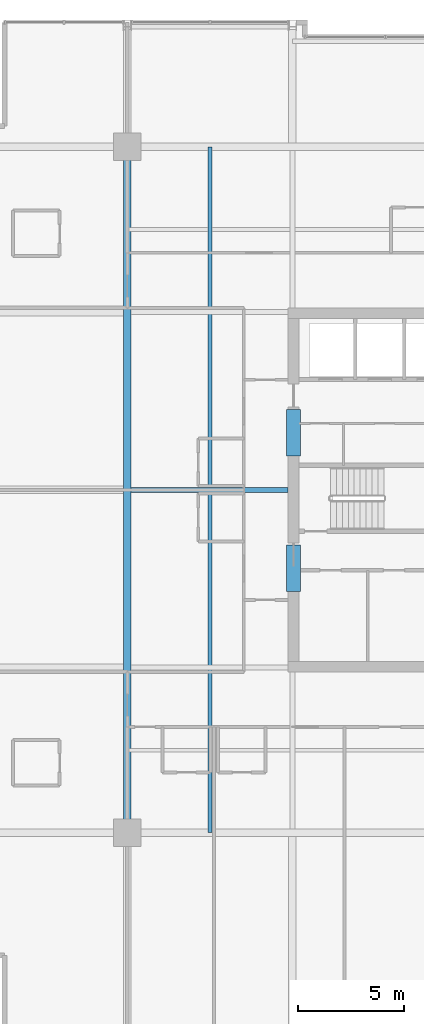
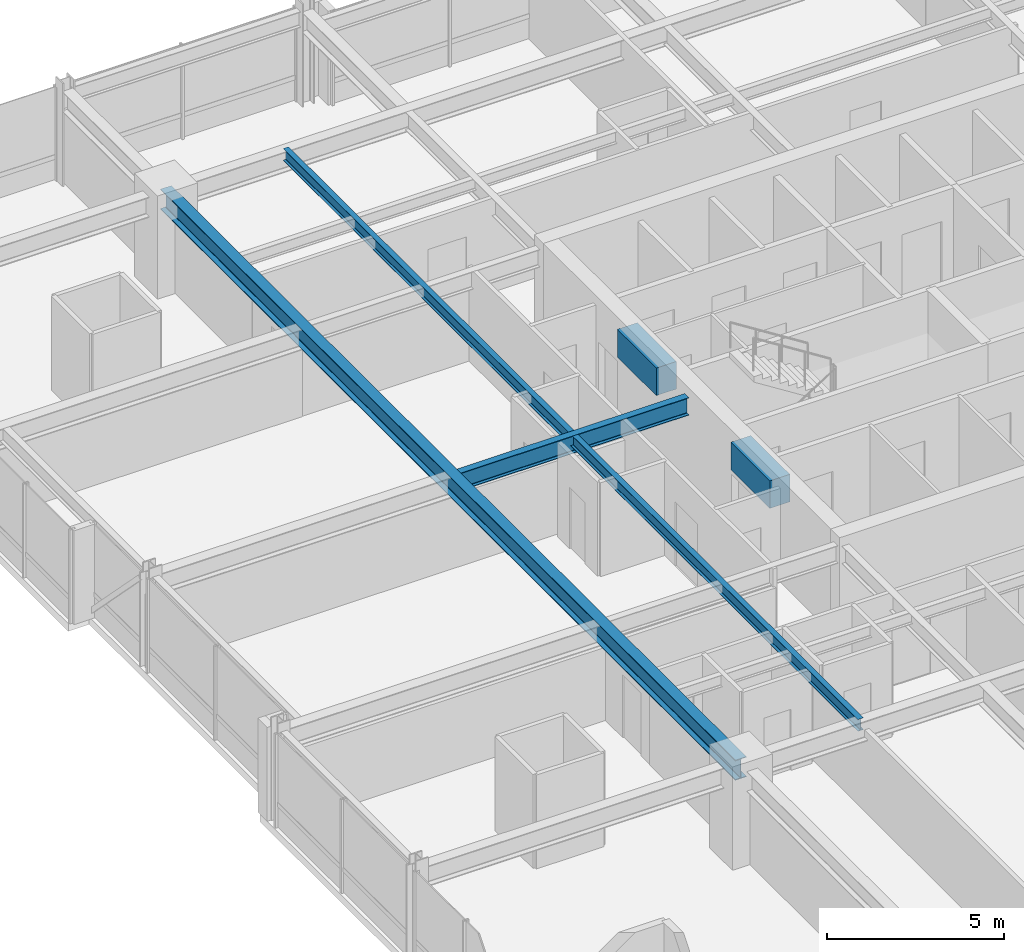
# One storey, part 10 of 33: 5 beams.
"""IFC4 building model written with IfcOpenShell, lengths in metres."""

from ifc_helpers import new_model, si_unit, direction, frame, origin, origin_2d, place, context, subcontext, project, spatial, rectangle, i_section, extrude, material, material_profile, profile_set, type_object, element, save


model = new_model("IFC4")

# Units and contexts
model_context = context("Model", 3, precision=1e-05, world=origin(), true_north=direction((0.0, 1.0)))
body_context = subcontext(model_context, "Body", "Model", "MODEL_VIEW")
ifc_project = project(units=[si_unit("LENGTHUNIT", "METRE"), si_unit("AREAUNIT", "SQUARE_METRE"), si_unit("VOLUMEUNIT", "CUBIC_METRE"), si_unit("PLANEANGLEUNIT", "RADIAN"), si_unit("MASSUNIT", "GRAM", prefix="KILO")], contexts=[model_context])

# Site, building, storey
site_placement = place(None, origin())
site = spatial("IfcSite", under=ifc_project, at=site_placement, CompositionType="ELEMENT")
building_placement = place(site_placement, origin())
building = spatial("IfcBuilding", under=site, at=building_placement, Name="Drelvath Grand Hotel", CompositionType="ELEMENT")
storey_placement = place(building_placement, frame((0.0, 0.0, 196.550048828125)))
storey = spatial("IfcBuildingStorey", under=building, at=storey_placement, Name="L51", CompositionType="ELEMENT", Elevation=196.550048828125)

# Beams
ifc_material_1 = material(Name="Steel ASTM A992 Gr 50", Category="steel")
ifc_material_profile_1 = material_profile(ifc_material_1, i_section(OverallWidth=0.177734375, OverallDepth=0.40673828125, WebThickness=0.0078125, FlangeThickness=0.0126953125, FilletRadius=0.014892578125, at=origin_2d()), Name="W16X40")
ifc_profile_set_1 = profile_set([ifc_material_profile_1], Name="Steel ASTM A992 Gr 50")
beam_type_1 = type_object("IfcBeamType", Name="Composite Floor Joist W16X40", PredefinedType="JOIST", material=ifc_profile_set_1)
beam_1_placement = place(storey_placement, frame((-12.300048828125, 10.800048828125, 3.026611328125), z_axis=(0.0, 1.0, 0.0), x_axis=(-1.0, 0.0, 0.0)))
element("IfcBeam", 1, at=beam_1_placement, inside=storey, type_object=beam_type_1, Name="L51 Wing Floor Joist J3", PredefinedType="JOIST", context=body_context, shape_type="SweptSolid", body=[
    extrude(i_section(OverallWidth=0.177734375, OverallDepth=0.40673828125, WebThickness=0.0078125, FlangeThickness=0.0126953125, FilletRadius=0.014892578125, at=origin_2d()), origin(), (0.0, 0.0, 1.0), 32.39990234375),
])
ifc_material_2 = material(Name="Concrete f'c 55 MPa", Category="concrete")
ifc_material_profile_2 = material_profile(ifc_material_2, rectangle(XDim=0.64990234375, YDim=0.949951171875, at=origin_2d()), Name="CB650X950")
ifc_profile_set_2 = profile_set([ifc_material_profile_2], Name="Concrete f'c 55 MPa")
beam_type_2 = type_object("IfcBeamType", Name="Core Coupling Lintel CB650X950", PredefinedType="LINTEL", material=ifc_profile_set_2)
for number, where, z_axis, x_axis, name in (
    (2, (-8.35009765625, 22.199951171875, 2.7548828125), (0.0, 1.0, 0.0), (-1.0, 0.0, 0.0), "L51 Core Coupling Lintel WS"),
    (3, (-8.35009765625, 28.60009765625, 2.7548828125), (0.0, 1.0, 0.0), (-1.0, 0.0, 0.0), "L51 Core Coupling Lintel WN"),
):
    element("IfcBeam", number, at=place(storey_placement, frame(where, z_axis=z_axis, x_axis=x_axis)), inside=storey, type_object=beam_type_2, Name=name, PredefinedType="LINTEL", context=body_context, shape_type="SweptSolid", body=[
        extrude(rectangle(XDim=0.64990234375, YDim=0.949951171875, at=origin_2d()), origin(), (0.0, 0.0, 1.0), 2.199951171875),
    ])
ifc_material_profile_3 = material_profile(ifc_material_1, i_section(OverallWidth=0.228271484375, OverallDepth=0.607666015625, WebThickness=0.01123046875, FlangeThickness=0.017333984375, FilletRadius=0.02001953125, at=origin_2d()), Name="W24X76")
ifc_profile_set_3 = profile_set([ifc_material_profile_3], Name="Steel ASTM A992 Gr 50")
beam_type_3 = type_object("IfcBeamType", Name="Primary Floor Girder W24X76", PredefinedType="BEAM", material=ifc_profile_set_3)
beam_2_placement = place(storey_placement, frame((-16.022705078125, 27.0, 2.92626953125), z_axis=(1.0, 0.0, 0.0), x_axis=(0.0, 1.0, 0.0)))
element("IfcBeam", 4, at=beam_2_placement, inside=storey, type_object=beam_type_3, Name="L51 West Core Tie E", PredefinedType="BEAM", context=body_context, shape_type="SweptSolid", body=[
    extrude(i_section(OverallWidth=0.228271484375, OverallDepth=0.607666015625, WebThickness=0.01123046875, FlangeThickness=0.017333984375, FilletRadius=0.02001953125, at=origin_2d()), origin(), (0.0, 0.0, 1.0), 7.422607421875),
])
ifc_material_profile_4 = material_profile(ifc_material_1, i_section(OverallWidth=0.354736328125, OverallDepth=0.695556640625, WebThickness=0.015380859375, FlangeThickness=0.025146484375, FilletRadius=0.02392578125, at=origin_2d()), Name="W27X146")
ifc_profile_set_4 = profile_set([ifc_material_profile_4], Name="Steel ASTM A992 Gr 50")
beam_type_4 = type_object("IfcBeamType", Name="Primary Floor Girder W27X146", PredefinedType="BEAM", material=ifc_profile_set_4)
beam_3_placement = place(storey_placement, frame((-16.199951171875, 10.800048828125, 2.88232421875), z_axis=(0.0, 1.0, 0.0), x_axis=(-1.0, 0.0, 0.0)))
element("IfcBeam", 5, at=beam_3_placement, inside=storey, type_object=beam_type_4, Name="L51 Mega Ring Girder West", PredefinedType="BEAM", context=body_context, shape_type="SweptSolid", body=[
    extrude(i_section(OverallWidth=0.354736328125, OverallDepth=0.695556640625, WebThickness=0.015380859375, FlangeThickness=0.025146484375, FilletRadius=0.02392578125, at=origin_2d()), origin(), (0.0, 0.0, 1.0), 32.39990234375),
])

save(model, "model.ifc")
